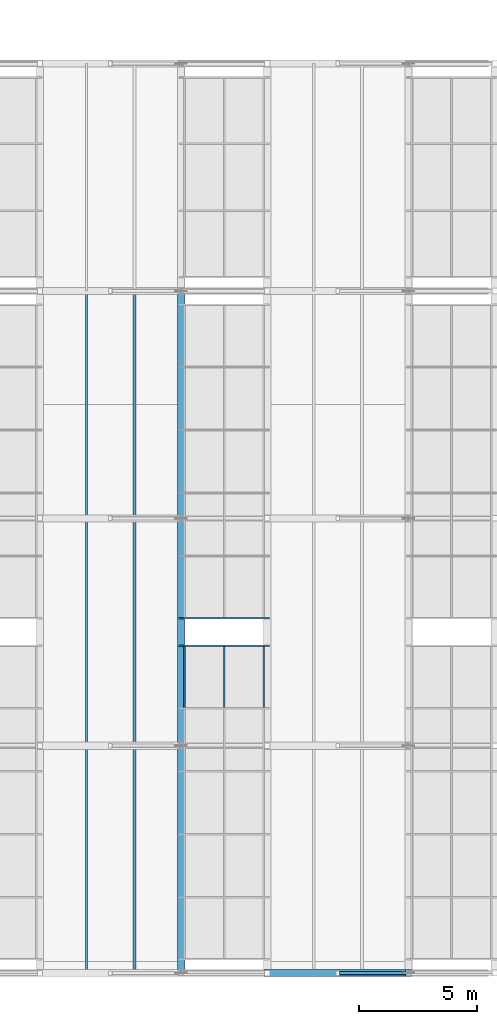
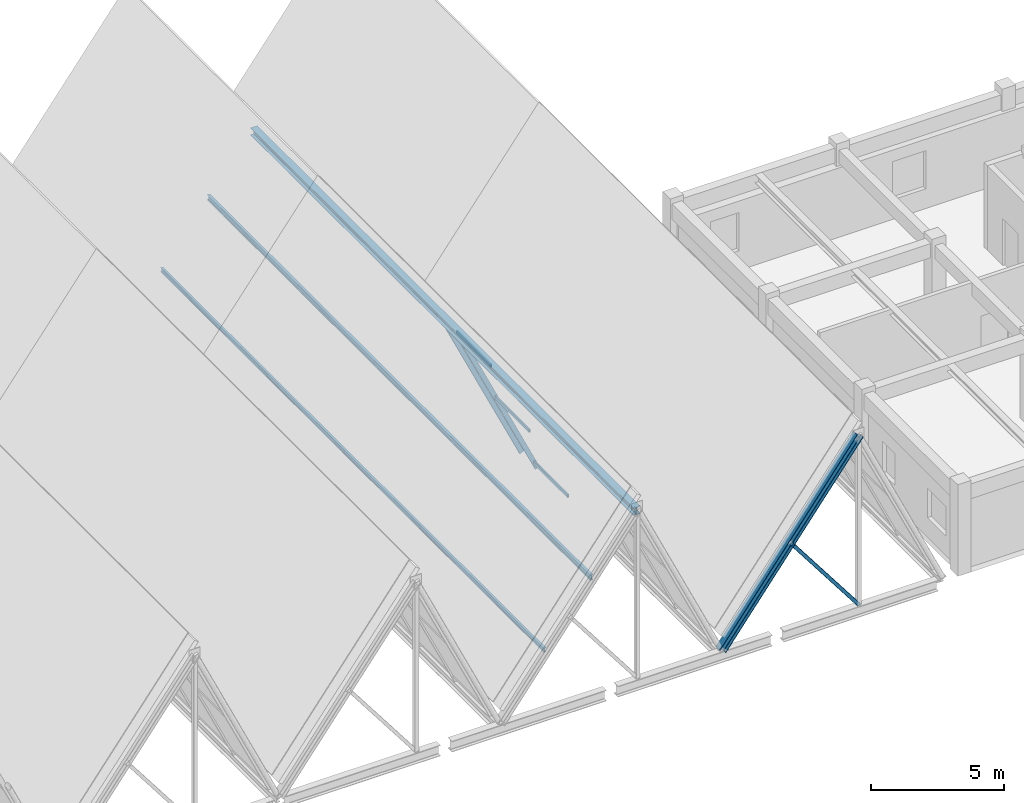
# One storey, part 19 of 99: 9 members, 1 beam, 2 elements without a shape of their own.
"""IFC4 building model written with IfcOpenShell, lengths in metres."""

from ifc_helpers import new_model, si_unit, direction, frame, origin, origin_2d, place, context, subcontext, project, spatial, hollow_rectangle, i_section, extrude, material, material_profile, profile_set, type_object, element, aggregate, save


model = new_model("IFC4")

# Units and contexts
model_context = context("Model", 3, precision=1e-05, world=origin(), true_north=direction((0.0, 1.0)))
body_context = subcontext(model_context, "Body", "Model", "MODEL_VIEW")
ifc_project = project(units=[si_unit("LENGTHUNIT", "METRE"), si_unit("AREAUNIT", "SQUARE_METRE"), si_unit("VOLUMEUNIT", "CUBIC_METRE"), si_unit("PLANEANGLEUNIT", "RADIAN"), si_unit("MASSUNIT", "GRAM", prefix="KILO")], contexts=[model_context])

# Site, building, storey
site_placement = place(None, origin())
site = spatial("IfcSite", under=ifc_project, at=site_placement, CompositionType="ELEMENT")
building_placement = place(site_placement, origin())
building = spatial("IfcBuilding", under=site, at=building_placement, Name="Bramveld Media Centre", CompositionType="ELEMENT")
storey_placement = place(building_placement, frame((0.0, 0.0, 13.800048828125)))
storey = spatial("IfcBuildingStorey", under=building, at=storey_placement, Name="L03", CompositionType="ELEMENT", Elevation=13.800048828125)

# Curtain wall, member
ifc_material_1 = material(Name="Thermally broken anodized bronze aluminium unitized curtain wall with solar-control triple glazing", Category="aluminium")
curtain_wall_type = type_object("IfcCurtainWallType", Name="CW-SAW-13300x8606", PredefinedType="NOTDEFINED", material=ifc_material_1)
curtain_wall_1_placement = place(storey_placement, origin())
curtain_wall_1 = element("IfcCurtainWall", 1, at=curtain_wall_1_placement, inside=storey, type_object=curtain_wall_type, Name="V2 sawtooth north-light clerestory B5-S1", PredefinedType="NOTDEFINED")
ifc_material_2 = material(Name="Thermally broken anodized bronze aluminium EN AW-6063 T6 curtain-wall framing", Category="aluminium")
ifc_material_profile_1 = material_profile(ifc_material_2, hollow_rectangle(XDim=0.070068359375, YDim=0.199951171875, WallThickness=0.00439453125, InnerFilletRadius=0.00439453125, OuterFilletRadius=0.009033203125, at=origin_2d()), Name="AL-MULL 70x200")
ifc_profile_set_1 = profile_set([ifc_material_profile_1], Name="Thermally broken anodized bronze aluminium EN AW-6063 T6 curtain-wall framing")
member_type_1 = type_object("IfcMemberType", Name="CW-MULL-SLP", PredefinedType="MULLION", material=ifc_profile_set_1)
member_1_placement = place(storey_placement, frame((48.0, 13.81494140625, -0.02001953125), z_axis=(-0.423956992265, 0.0, 0.90568232218), x_axis=(0.0, -1.0, 0.0)))
member_1 = element("IfcMember", 2, at=member_1_placement, type_object=member_type_1, Name="CW-SA-13386 sloped mullion 6", PredefinedType="MULLION", context=body_context, shape_type="SweptSolid", body=[
    extrude(hollow_rectangle(XDim=0.070068359375, YDim=0.199951171875, WallThickness=0.00439453125, InnerFilletRadius=0.00439453125, OuterFilletRadius=0.009033203125, at=origin_2d()), origin(), (0.0, 0.0, 1.0), 8.5791015625),
])

curtain_wall_2_placement = place(storey_placement, origin())
curtain_wall_2 = element("IfcCurtainWall", 3, at=curtain_wall_2_placement, inside=storey, type_object=curtain_wall_type, Name="V2 sawtooth north-light clerestory B5-S2", PredefinedType="NOTDEFINED")
member_2_placement = place(storey_placement, frame((48.0, 14.985107421875, -0.02001953125), z_axis=(-0.423956992265, 0.0, 0.90568232218), x_axis=(0.0, -1.0, 0.0)))
member_2 = element("IfcMember", 4, at=member_2_placement, type_object=member_type_1, Name="CW-SA-13386 sloped mullion 1", PredefinedType="MULLION", context=body_context, shape_type="SweptSolid", body=[
    extrude(hollow_rectangle(XDim=0.070068359375, YDim=0.199951171875, WallThickness=0.00439453125, InnerFilletRadius=0.00439453125, OuterFilletRadius=0.009033203125, at=origin_2d()), origin(), (0.0, 0.0, 1.0), 8.5791015625),
])
aggregate(curtain_wall_2, [member_2])

# Member
ifc_material_3 = material(Name="Thermally broken anodized bronze aluminium EN AW-6063 T6 curtain-wall framing", Category="aluminium")
ifc_material_profile_2 = material_profile(ifc_material_3, hollow_rectangle(XDim=0.070068359375, YDim=0.14990234375, WallThickness=0.00390625, InnerFilletRadius=0.00390625, OuterFilletRadius=0.008056640625, at=origin_2d()), Name="AL-TRAN 70x150")
ifc_profile_set_2 = profile_set([ifc_material_profile_2], Name="Thermally broken anodized bronze aluminium EN AW-6063 T6 curtain-wall framing")
member_type_2 = type_object("IfcMemberType", Name="CW-TRAN-SLP", PredefinedType="USERDEFINED", material=ifc_profile_set_2)
member_3_placement = place(storey_placement, frame((47.8544921875, 11.22509765625, 0.290771484375), z_axis=(0.0, 1.0, 0.0), x_axis=(-1.0, 0.0, 0.0)))
member_3 = element("IfcMember", 5, at=member_3_placement, type_object=member_type_2, Name="CW-SA-13386 transom 5.1", ObjectType="TRANSOM", PredefinedType="USERDEFINED", context=body_context, shape_type="SweptSolid", body=[
    extrude(hollow_rectangle(XDim=0.070068359375, YDim=0.14990234375, WallThickness=0.00390625, InnerFilletRadius=0.00390625, OuterFilletRadius=0.008056640625, at=origin_2d()), origin(), (0.0, 0.0, 1.0), 2.554931640625),
])

member_4_placement = place(storey_placement, frame((46.181396484375, 11.22509765625, 3.864990234375), z_axis=(0.0, 1.0, 0.0), x_axis=(-1.0, 0.0, 0.0)))
member_4 = element("IfcMember", 6, at=member_4_placement, type_object=member_type_2, Name="CW-SA-13386 transom 5.2", ObjectType="TRANSOM", PredefinedType="USERDEFINED", context=body_context, shape_type="SweptSolid", body=[
    extrude(hollow_rectangle(XDim=0.070068359375, YDim=0.14990234375, WallThickness=0.00390625, InnerFilletRadius=0.00390625, OuterFilletRadius=0.008056640625, at=origin_2d()), origin(), (0.0, 0.0, 1.0), 2.554931640625),
])

member_5_placement = place(storey_placement, frame((44.50830078125, 11.22509765625, 7.439208984375), z_axis=(0.0, 1.0, 0.0), x_axis=(-1.0, 0.0, 0.0)))
member_5 = element("IfcMember", 7, at=member_5_placement, type_object=member_type_2, Name="CW-SA-13386 transom 5.3", ObjectType="TRANSOM", PredefinedType="USERDEFINED", context=body_context, shape_type="SweptSolid", body=[
    extrude(hollow_rectangle(XDim=0.070068359375, YDim=0.14990234375, WallThickness=0.00390625, InnerFilletRadius=0.00390625, OuterFilletRadius=0.008056640625, at=origin_2d()), origin(), (0.0, 0.0, 1.0), 2.554931640625),
])

aggregate(curtain_wall_1, [member_1, member_3, member_4, member_5])

# Members
ifc_material_4 = material(Name="Steel S355J2H", Category="steel")
ifc_material_profile_3 = material_profile(ifc_material_4, hollow_rectangle(XDim=0.14990234375, YDim=0.14990234375, WallThickness=0.010009765625, InnerFilletRadius=0.010009765625, OuterFilletRadius=0.02001953125, at=origin_2d()), Name="SHS 150x150x10")
ifc_profile_set_3 = profile_set([ifc_material_profile_3], Name="Steel S355J2H")
member_type_3 = type_object("IfcMemberType", Name="MEM-BRACE-SHS150", PredefinedType="BRACE", material=ifc_profile_set_3)
member_6_placement = place(storey_placement, frame((53.962890625, 0.0, 0.0), z_axis=(-0.607343034298, 0.0, 0.794439701104), x_axis=(0.0, -1.0, 0.0)))
element("IfcMember", 8, at=member_6_placement, inside=storey, type_object=member_type_3, Name="TRUSS-V2-B06-F1 web diagonal", PredefinedType="BRACE", context=body_context, shape_type="SweptSolid", body=[
    extrude(hollow_rectangle(XDim=0.14990234375, YDim=0.14990234375, WallThickness=0.010009765625, InnerFilletRadius=0.010009765625, OuterFilletRadius=0.02001953125, at=origin_2d()), origin(), (0.0, 0.0, 1.0), 4.908935546875),
])
ifc_material_5 = material(Name="Steel S355J2", Category="steel")
ifc_material_profile_4 = material_profile(ifc_material_5, i_section(OverallWidth=0.300048828125, OverallDepth=0.340087890625, WebThickness=0.011962890625, FlangeThickness=0.021484375, FilletRadius=0.027099609375, at=origin_2d()), Name="HEB 340")
ifc_profile_set_4 = profile_set([ifc_material_profile_4], Name="Steel S355J2")
member_type_4 = type_object("IfcMemberType", Name="MEM-CHORD-HEB340", PredefinedType="CHORD", material=ifc_profile_set_4)
member_7_placement = place(storey_placement, frame((48.0, 0.0, 0.0), z_axis=(0.607331036372, 0.0, 0.794448873282), x_axis=(0.0, 1.0, 0.0)))
element("IfcMember", 9, at=member_7_placement, inside=storey, type_object=member_type_4, Name="TRUSS-V2-B06-F1 top rafter chord", PredefinedType="CHORD", context=body_context, shape_type="SweptSolid", body=[
    extrude(i_section(OverallWidth=0.300048828125, OverallDepth=0.340087890625, WebThickness=0.011962890625, FlangeThickness=0.021484375, FilletRadius=0.027099609375, at=origin_2d()), origin(), (0.0, 0.0, 1.0), 9.818115234375),
])
ifc_material_6 = material(Name="Steel S355J2", Category="steel")
ifc_material_profile_5 = material_profile(ifc_material_6, i_section(OverallWidth=0.10009765625, OverallDepth=0.199951171875, WebThickness=0.005615234375, FlangeThickness=0.008544921875, FilletRadius=0.011962890625, at=origin_2d()), Name="IPE 200")
ifc_profile_set_5 = profile_set([ifc_material_profile_5], Name="Steel S355J2")
member_type_5 = type_object("IfcMemberType", Name="MEM-PURLIN-IPE200", PredefinedType="PURLIN", material=ifc_profile_set_5)
member_8_placement = place(storey_placement, frame((40.36767578125, 0.0, 2.650146484375), z_axis=(0.0, 1.0, 0.0), x_axis=(-1.0, 0.0, 0.0)))
element("IfcMember", 10, at=member_8_placement, inside=storey, type_object=member_type_5, Name="V2 roof purlin", PredefinedType="PURLIN", context=body_context, shape_type="SweptSolid", body=[
    extrude(i_section(OverallWidth=0.10009765625, OverallDepth=0.199951171875, WebThickness=0.005615234375, FlangeThickness=0.008544921875, FilletRadius=0.011962890625, at=origin_2d()), origin(), (0.0, 0.0, 1.0), 28.800048828125),
])
ifc_material_7 = material(Name="Steel S355J2", Category="steel")
ifc_material_profile_6 = material_profile(ifc_material_7, i_section(OverallWidth=0.1201171875, OverallDepth=0.239990234375, WebThickness=0.006103515625, FlangeThickness=0.009765625, FilletRadius=0.014892578125, at=origin_2d()), Name="IPE 240")
ifc_profile_set_6 = profile_set([ifc_material_profile_6], Name="Steel S355J2")
member_type_6 = type_object("IfcMemberType", Name="MEM-PURLIN-IPE240", PredefinedType="PURLIN", material=ifc_profile_set_6)
member_9_placement = place(storey_placement, frame((42.39501953125, 0.0, 5.26904296875), z_axis=(0.0, 1.0, 0.0), x_axis=(-1.0, 0.0, 0.0)))
element("IfcMember", 11, at=member_9_placement, inside=storey, type_object=member_type_6, Name="V2 roof purlin", PredefinedType="PURLIN", context=body_context, shape_type="SweptSolid", body=[
    extrude(i_section(OverallWidth=0.1201171875, OverallDepth=0.239990234375, WebThickness=0.006103515625, FlangeThickness=0.009765625, FilletRadius=0.014892578125, at=origin_2d()), origin(), (0.0, 0.0, 1.0), 28.800048828125),
])

# Beam
ifc_material_8 = material(Name="Steel S355J2", Category="steel")
ifc_material_profile_7 = material_profile(ifc_material_8, i_section(OverallWidth=0.300048828125, OverallDepth=0.330078125, WebThickness=0.009521484375, FlangeThickness=0.0166015625, FilletRadius=0.027099609375, at=origin_2d()), Name="HEA 340")
ifc_profile_set_7 = profile_set([ifc_material_profile_7], Name="Steel S355J2")
beam_type = type_object("IfcBeamType", Name="SBM-INT-HEA-340", PredefinedType="BEAM", material=ifc_profile_set_7)
beam_placement = place(storey_placement, frame((44.36279296875, 0.0, 7.635009765625), z_axis=(0.0, 1.0, 0.0), x_axis=(-1.0, 0.0, 0.0)))
element("IfcBeam", 12, at=beam_placement, inside=storey, type_object=beam_type, Name="V2 ridge spine beam", PredefinedType="BEAM", context=body_context, shape_type="SweptSolid", body=[
    extrude(i_section(OverallWidth=0.300048828125, OverallDepth=0.330078125, WebThickness=0.009521484375, FlangeThickness=0.0166015625, FilletRadius=0.027099609375, at=origin_2d()), origin(), (0.0, 0.0, 1.0), 28.800048828125),
])

save(model, "model.ifc")
